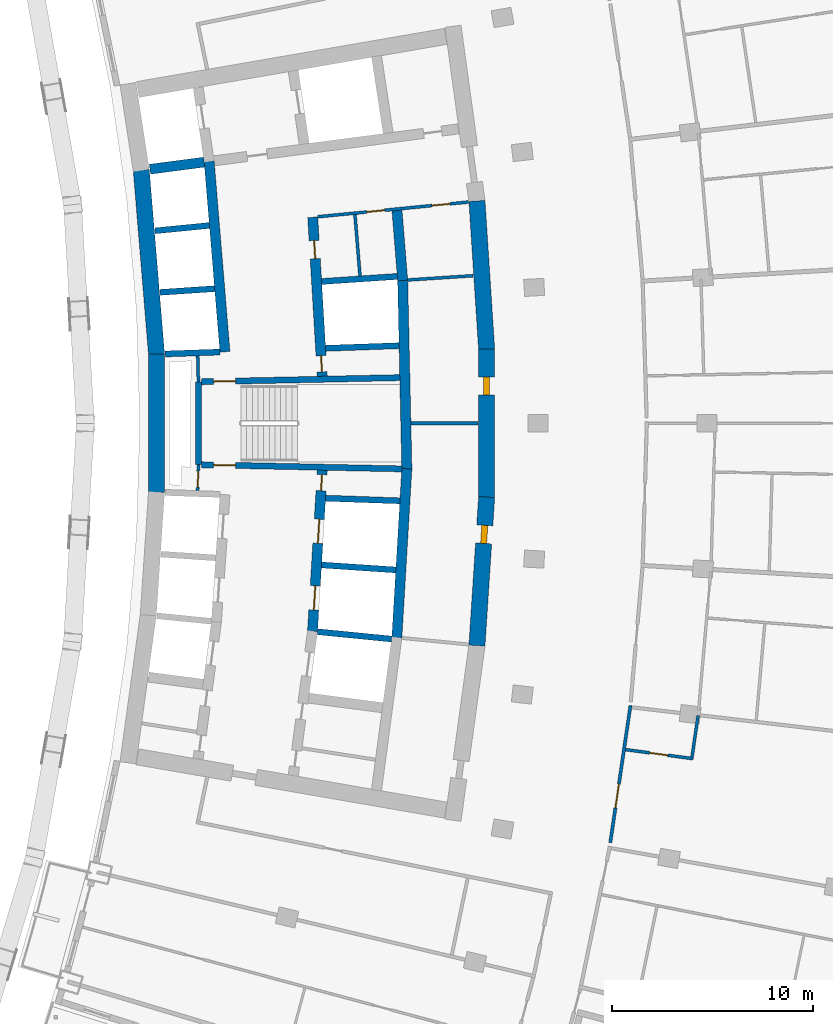
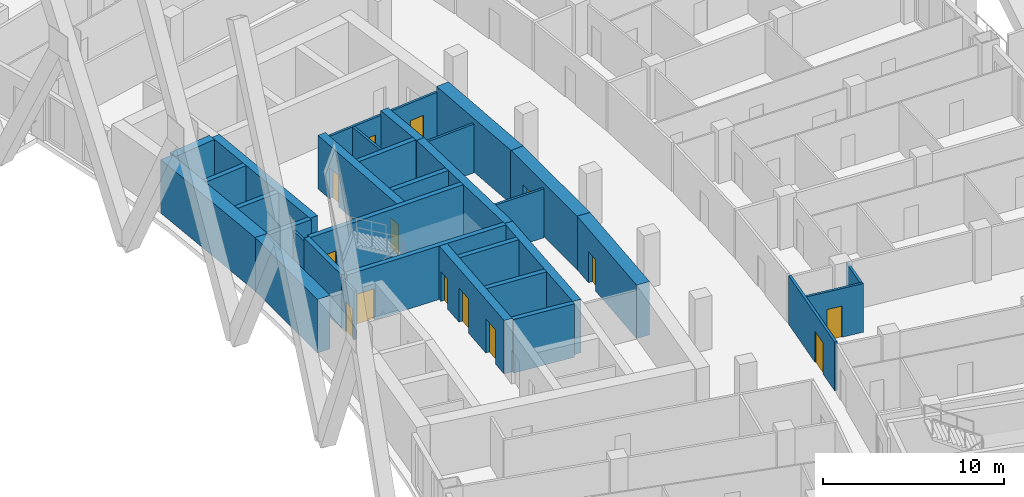
# One storey, part 14 of 24: 32 walls, 14 doors, 14 openings.
"""IFC4 building model written with IfcOpenShell, lengths in metres."""

from ifc_helpers import new_model, si_unit, direction, frame, frame_2d, origin, place, context, subcontext, project, spatial, rectangle, extrude, material, layer, layer_set, type_object, element, fill, save


model = new_model("IFC4")

# Units and contexts
model_context = context("Model", 3, precision=1e-05, world=origin(), true_north=direction((0.0, 1.0)))
body_context = subcontext(model_context, "Body", "Model", "MODEL_VIEW")
ifc_project = project(units=[si_unit("LENGTHUNIT", "METRE"), si_unit("AREAUNIT", "SQUARE_METRE"), si_unit("VOLUMEUNIT", "CUBIC_METRE"), si_unit("PLANEANGLEUNIT", "RADIAN"), si_unit("MASSUNIT", "GRAM", prefix="KILO")], contexts=[model_context])

# Site, building, storey
site_placement = place(None, origin())
site = spatial("IfcSite", under=ifc_project, at=site_placement, CompositionType="ELEMENT")
building_placement = place(site_placement, origin())
building = spatial("IfcBuilding", under=site, at=building_placement, Name="Alderwake Tower", CompositionType="ELEMENT")
storey_placement = place(building_placement, frame((0.0, 0.0, 104.0)))
storey = spatial("IfcBuildingStorey", under=building, at=storey_placement, Name="L25", CompositionType="ELEMENT", Elevation=104.0)

# Wall, opening, door
ifc_material_1 = material(Name="Gypsum shaft wall system, rated")
ifc_layer_1 = layer(ifc_material_1, 0.14990234375)
ifc_layer_set_1 = layer_set([ifc_layer_1], Name="Core room partition 150")
wall_type_1 = type_object("IfcWallType", Name="Core room partition 150", PredefinedType="PARTITIONING", material=ifc_layer_set_1)
wall_1_placement = place(storey_placement, frame((18.918701171875, 58.94384765625, 0.0), z_axis=(0.0, 0.0, 1.0), x_axis=(-0.027348257573, -0.999625966453, 0.0)))
wall_1 = element("IfcWall", 1, at=wall_1_placement, inside=storey, type_object=wall_type_1, Name="CW/L25/PA+24_-37", PredefinedType="PARTITIONING", context=body_context, shape_type="SweptSolid", body=[
    extrude(rectangle(XDim=1.29443359375, YDim=0.14990234375, at=frame_2d((0.647216796875, 0.0))), origin(), (0.0, 0.0, 1.0), 3.280029296875),
])
opening_1_placement = place(wall_1_placement, frame((0.322998046875, 0.0, 0.0)))
opening_1 = element("IfcOpeningElement", 2, at=opening_1_placement, cuts=wall_1, Name="Opening C004", PredefinedType="OPENING", context=body_context, shape_type="SweptSolid", body=[
    extrude(rectangle(XDim=0.800048828125, YDim=2.0, at=frame_2d((0.39990234375, 1.0))), frame((0.0, 0.0849609375, 0.0), z_axis=(0.0, -1.0, 0.0), x_axis=(1.0, 0.0, 0.0)), (0.0, 0.0, 1.0), 0.169921875),
])
ifc_material_2 = material(Name="Painted steel leaf, rated", Category="steel")
door_type_1 = type_object("IfcDoorType", Name="Riser access door 800", OperationType="SINGLE_SWING_LEFT", PredefinedType="DOOR", material=ifc_material_2)
door_1_placement = place(opening_1_placement, origin())
door_1 = element("IfcDoor", 3, at=door_1_placement, inside=storey, type_object=door_type_1, Name="Riser access door", OperationType="SINGLE_SWING_RIGHT", OverallHeight=2.0, OverallWidth=0.800048828125, PredefinedType="DOOR", context=body_context, shape_type="SweptSolid", body=[
    extrude(rectangle(XDim=0.800048828125, YDim=2.0, at=frame_2d((0.39990234375, 1.0))), frame((0.0, 0.02490234375, 0.0), z_axis=(0.0, -1.0, 0.0), x_axis=(1.0, 0.0, 0.0)), (0.0, 0.0, 1.0), 0.050048828125),
])
fill(opening_1, door_1)

# Walls
wall_2_placement = place(storey_placement, frame((18.918701171875, 63.05517578125, 0.0), z_axis=(0.0, 0.0, 1.0), x_axis=(-0.027327648352, 0.999626530078, 0.0)))
element("IfcWall", 4, at=wall_2_placement, inside=storey, type_object=wall_type_1, Name="CW/L25/PA+24_+22", PredefinedType="PARTITIONING", context=body_context, shape_type="SweptSolid", body=[
    extrude(rectangle(XDim=1.29541015625, YDim=0.14990234375, at=frame_2d((0.647705078125, 0.0))), origin(), (0.0, 0.0, 1.0), 3.280029296875),
])
wall_3_placement = place(storey_placement, frame((26.94970703125, 68.3203125, 0.0), z_axis=(0.0, 0.0, 1.0), x_axis=(-0.082463525817, 0.996594083321, 0.0)))
element("IfcWall", 5, at=wall_3_placement, inside=storey, type_object=wall_type_1, Name="CW/L25/PA+107_+70", PredefinedType="PARTITIONING", context=body_context, shape_type="SweptSolid", body=[
    extrude(rectangle(XDim=3.055419921875, YDim=0.14990234375, at=frame_2d((1.52783203125, 0.0))), origin(), (0.0, 0.0, 1.0), 3.280029296875),
])
wall_4_placement = place(storey_placement, frame((29.47607421875, 61.0, 0.0), z_axis=(0.0, 0.0, 1.0), x_axis=(1.0, 0.0, 0.0)))
element("IfcWall", 6, at=wall_4_placement, inside=storey, type_object=wall_type_1, Name="CW/L25/PR+0_+128", PredefinedType="PARTITIONING", context=body_context, shape_type="SweptSolid", body=[
    extrude(rectangle(XDim=3.333984375, YDim=0.14990234375, at=frame_2d((1.6669921875, 0.0))), origin(), (0.0, 0.0, 1.0), 3.280029296875),
])
wall_5_placement = place(storey_placement, frame((29.318603515625, 68.11865234375, 0.0), z_axis=(0.0, 0.0, 1.0), x_axis=(0.997885072108, 0.065002945035, 0.0)))
element("IfcWall", 7, at=wall_5_placement, inside=storey, type_object=wall_type_1, Name="CW/L25/PR+68_+128", PredefinedType="PARTITIONING", context=body_context, shape_type="SweptSolid", body=[
    extrude(rectangle(XDim=3.260009765625, YDim=0.14990234375, at=frame_2d((1.6298828125, 0.0))), origin(), (0.0, 0.0, 1.0), 3.280029296875),
])

# Wall, openings, doors
wall_6_placement = place(storey_placement, frame((32.333251953125, 71.991943359375, 0.0), z_axis=(0.0, 0.0, 1.0), x_axis=(-0.995248348328, -0.097369015353, 0.0)))
wall_6 = element("IfcWall", 8, at=wall_6_placement, inside=storey, type_object=wall_type_1, Name="CW/L25/PR+102_+86", PredefinedType="PARTITIONING", context=body_context, shape_type="SweptSolid", body=[
    extrude(rectangle(XDim=7.51953125, YDim=0.14990234375, at=frame_2d((3.759765625, 0.0))), origin(), (0.0, 0.0, 1.0), 3.280029296875),
])
opening_2_placement = place(wall_6_placement, frame((4.169921875, 0.0, 0.0)))
opening_2 = element("IfcOpeningElement", 9, at=opening_2_placement, cuts=wall_6, Name="Opening C022", PredefinedType="OPENING", context=body_context, shape_type="SweptSolid", body=[
    extrude(rectangle(XDim=0.89990234375, YDim=2.10009765625, at=frame_2d((0.449951171875, 1.050048828125))), frame((0.0, 0.0849609375, 0.0), z_axis=(0.0, -1.0, 0.0), x_axis=(1.0, 0.0, 0.0)), (0.0, 0.0, 1.0), 0.169921875),
])
opening_3_placement = place(wall_6_placement, frame((0.919921875, 0.0, 0.0)))
opening_3 = element("IfcOpeningElement", 10, at=opening_3_placement, cuts=wall_6, Name="Opening C036", PredefinedType="OPENING", context=body_context, shape_type="SweptSolid", body=[
    extrude(rectangle(XDim=0.89990234375, YDim=2.10009765625, at=frame_2d((0.449951171875, 1.050048828125))), frame((0.0, 0.0849609375, 0.0), z_axis=(0.0, -1.0, 0.0), x_axis=(1.0, 0.0, 0.0)), (0.0, 0.0, 1.0), 0.169921875),
])
ifc_material_3 = material(Name="Painted steel leaf", Category="steel")
door_type_2 = type_object("IfcDoorType", Name="Core room door 900", OperationType="SINGLE_SWING_LEFT", PredefinedType="DOOR", material=ifc_material_3)
door_2_placement = place(opening_2_placement, origin())
door_2 = element("IfcDoor", 11, at=door_2_placement, inside=storey, type_object=door_type_2, Name="Room door", OperationType="SINGLE_SWING_RIGHT", OverallHeight=2.10009765625, OverallWidth=0.89990234375, PredefinedType="DOOR", context=body_context, shape_type="SweptSolid", body=[
    extrude(rectangle(XDim=0.89990234375, YDim=2.10009765625, at=frame_2d((0.449951171875, 1.050048828125))), frame((0.0, 0.02490234375, 0.0), z_axis=(0.0, -1.0, 0.0), x_axis=(1.0, 0.0, 0.0)), (0.0, 0.0, 1.0), 0.050048828125),
])
fill(opening_2, door_2)
door_3_placement = place(opening_3_placement, origin())
door_3 = element("IfcDoor", 12, at=door_3_placement, inside=storey, type_object=door_type_2, Name="Room door", OperationType="SINGLE_SWING_RIGHT", OverallHeight=2.10009765625, OverallWidth=0.89990234375, PredefinedType="DOOR", context=body_context, shape_type="SweptSolid", body=[
    extrude(rectangle(XDim=0.89990234375, YDim=2.10009765625, at=frame_2d((0.449951171875, 1.050048828125))), frame((0.0, 0.02490234375, 0.0), z_axis=(0.0, -1.0, 0.0), x_axis=(1.0, 0.0, 0.0)), (0.0, 0.0, 1.0), 0.050048828125),
])
fill(opening_3, door_3)

# Walls
ifc_material_4 = material(Name="Concrete C70/85", Category="concrete")
ifc_layer_2 = layer(ifc_material_4, 0.800048828125)
ifc_layer_set_2 = layer_set([ifc_layer_2], Name="Core wall outer 800 C70-85")
wall_type_2 = type_object("IfcWallType", Name="Core wall outer 800 C70-85", PredefinedType="SHEAR", material=ifc_layer_set_2)
wall_7_placement = place(storey_placement, frame((16.83935546875, 57.558349609375, 0.0), z_axis=(0.0, 0.0, 1.0), x_axis=(0.0, 1.0, 0.0)))
element("IfcWall", 13, at=wall_7_placement, inside=storey, type_object=wall_type_2, Name="Core wall CW.043", PredefinedType="SHEAR", context=body_context, shape_type="SweptSolid", body=[
    extrude(rectangle(XDim=6.886474609375, YDim=0.800048828125, at=frame_2d((3.443359375, 0.0))), origin(), (0.0, 0.0, 1.0), 3.60009765625),
])
wall_8_placement = place(storey_placement, frame((16.8408203125, 64.410888671875, 0.0), z_axis=(0.0, 0.0, 1.0), x_axis=(-0.082619502339, 0.996581164699, 0.0)))
element("IfcWall", 14, at=wall_8_placement, inside=storey, type_object=wall_type_2, Name="Core wall CW.040", PredefinedType="SHEAR", context=body_context, shape_type="SweptSolid", body=[
    extrude(rectangle(XDim=9.201904296875, YDim=0.800048828125, at=frame_2d((4.60107421875, 0.0))), origin(), (0.0, 0.0, 1.0), 3.60009765625),
])

# Wall, opening, door
wall_9_placement = place(storey_placement, frame((33.240966796875, 57.330322265625, 0.0), z_axis=(0.0, 0.0, 1.0), x_axis=(-0.064976219143, -0.997886812693, 0.0)))
wall_9 = element("IfcWall", 15, at=wall_9_placement, inside=storey, type_object=wall_type_2, Name="Core wall CW.011", PredefinedType="SHEAR", context=body_context, shape_type="SweptSolid", body=[
    extrude(rectangle(XDim=7.39453125, YDim=0.800048828125, at=frame_2d((3.697265625, 0.0))), origin(), (0.0, 0.0, 1.0), 3.60009765625),
])
opening_4_placement = place(wall_9_placement, frame((1.40478515625, 0.0, 0.0)))
opening_4 = element("IfcOpeningElement", 16, at=opening_4_placement, cuts=wall_9, Name="Opening C025", PredefinedType="OPENING", context=body_context, shape_type="SweptSolid", body=[
    extrude(rectangle(XDim=0.89990234375, YDim=2.10009765625, at=frame_2d((0.449951171875, 1.050048828125))), frame((0.0, 0.409912109375, 0.0), z_axis=(0.0, -1.0, 0.0), x_axis=(1.0, 0.0, 0.0)), (0.0, 0.0, 1.0), 0.820068359375),
])
door_4_placement = place(opening_4_placement, origin())
door_4 = element("IfcDoor", 17, at=door_4_placement, inside=storey, type_object=door_type_2, Name="Room door", OperationType="SINGLE_SWING_RIGHT", OverallHeight=2.10009765625, OverallWidth=0.89990234375, PredefinedType="DOOR", context=body_context, shape_type="SweptSolid", body=[
    extrude(rectangle(XDim=0.89990234375, YDim=2.10009765625, at=frame_2d((0.449951171875, 1.050048828125))), frame((0.0, 0.14990234375, 0.0), z_axis=(0.0, -1.0, 0.0), x_axis=(1.0, 0.0, 0.0)), (0.0, 0.0, 1.0), 0.300048828125),
])
fill(opening_4, door_4)

wall_10_placement = place(storey_placement, frame((33.239990234375, 64.69677734375, 0.0), z_axis=(0.0, 0.0, 1.0), x_axis=(0.0, -1.0, 0.0)))
wall_10 = element("IfcWall", 18, at=wall_10_placement, inside=storey, type_object=wall_type_2, Name="Core wall CW.013", PredefinedType="SHEAR", context=body_context, shape_type="SweptSolid", body=[
    extrude(rectangle(XDim=7.3935546875, YDim=0.800048828125, at=frame_2d((3.69677734375, 0.0))), origin(), (0.0, 0.0, 1.0), 3.60009765625),
])
opening_5_placement = place(wall_10_placement, frame((1.40478515625, 0.0, 0.0)))
opening_5 = element("IfcOpeningElement", 19, at=opening_5_placement, cuts=wall_10, Name="Opening C033", PredefinedType="OPENING", context=body_context, shape_type="SweptSolid", body=[
    extrude(rectangle(XDim=0.89990234375, YDim=2.10009765625, at=frame_2d((0.449951171875, 1.050048828125))), frame((0.0, 0.409912109375, 0.0), z_axis=(0.0, -1.0, 0.0), x_axis=(1.0, 0.0, 0.0)), (0.0, 0.0, 1.0), 0.820068359375),
])
door_5_placement = place(opening_5_placement, origin())
door_5 = element("IfcDoor", 20, at=door_5_placement, inside=storey, type_object=door_type_2, Name="Room door", OperationType="SINGLE_SWING_LEFT", OverallHeight=2.10009765625, OverallWidth=0.89990234375, PredefinedType="DOOR", context=body_context, shape_type="SweptSolid", body=[
    extrude(rectangle(XDim=0.89990234375, YDim=2.10009765625, at=frame_2d((0.449951171875, 1.050048828125))), frame((0.0, 0.14990234375, 0.0), z_axis=(0.0, -1.0, 0.0), x_axis=(1.0, 0.0, 0.0)), (0.0, 0.0, 1.0), 0.300048828125),
])
fill(opening_5, door_5)

# Walls
wall_11_placement = place(storey_placement, frame((33.240966796875, 64.669677734375, 0.0), z_axis=(0.0, 0.0, 1.0), x_axis=(-0.064976219143, 0.997886812693, 0.0)))
element("IfcWall", 21, at=wall_11_placement, inside=storey, type_object=wall_type_2, Name="Core wall CW.010", PredefinedType="SHEAR", context=body_context, shape_type="SweptSolid", body=[
    extrude(rectangle(XDim=7.39453125, YDim=0.800048828125, at=frame_2d((3.697265625, 0.0))), origin(), (0.0, 0.0, 1.0), 3.60009765625),
])
ifc_material_5 = material(Name="Concrete C70/85", Category="concrete")
ifc_layer_3 = layer(ifc_material_5, 0.300048828125)
ifc_layer_set_3 = layer_set([ifc_layer_3], Name="Core wall shaft 300 C70-85")
wall_type_3 = type_object("IfcWallType", Name="Core wall shaft 300 C70-85", PredefinedType="SHEAR", material=ifc_layer_set_3)
wall_12_placement = place(storey_placement, frame((24.839599609375, 50.64013671875, 0.0), z_axis=(0.0, 0.0, 1.0), x_axis=(0.995150987401, -0.098359098589, 0.0)))
element("IfcWall", 22, at=wall_12_placement, inside=storey, type_object=wall_type_3, Name="Core wall CW.066", PredefinedType="SHEAR", context=body_context, shape_type="SweptSolid", body=[
    extrude(rectangle(XDim=3.69580078125, YDim=0.300048828125, at=frame_2d((1.847900390625, 0.0))), origin(), (0.0, 0.0, 1.0), 3.60009765625),
])
wall_13_placement = place(storey_placement, frame((25.0400390625, 53.9580078125, 0.0), z_axis=(0.0, 0.0, 1.0), x_axis=(0.997759957359, -0.066895945251, 0.0)))
element("IfcWall", 23, at=wall_13_placement, inside=storey, type_object=wall_type_3, Name="Core wall CW.080", PredefinedType="SHEAR", context=body_context, shape_type="SweptSolid", body=[
    extrude(rectangle(XDim=3.697021484375, YDim=0.300048828125, at=frame_2d((1.8486328125, 0.0))), origin(), (0.0, 0.0, 1.0), 3.60009765625),
])
wall_14_placement = place(storey_placement, frame((25.240478515625, 57.27490234375, 0.0), z_axis=(0.0, 0.0, 1.0), x_axis=(0.999372332678, -0.035425141877, 0.0)))
element("IfcWall", 24, at=wall_14_placement, inside=storey, type_object=wall_type_3, Name="Core wall CW.077", PredefinedType="SHEAR", context=body_context, shape_type="SweptSolid", body=[
    extrude(rectangle(XDim=3.69384765625, YDim=0.300048828125, at=frame_2d((1.846923828125, 0.0))), origin(), (0.0, 0.0, 1.0), 3.60009765625),
])
wall_15_placement = place(storey_placement, frame((17.269287109375, 64.443115234375, 0.0), z_axis=(0.0, 0.0, 1.0), x_axis=(0.999374239339, 0.03537131246, 0.0)))
element("IfcWall", 25, at=wall_15_placement, inside=storey, type_object=wall_type_3, Name="Core wall CW.059", PredefinedType="SHEAR", context=body_context, shape_type="SweptSolid", body=[
    extrude(rectangle(XDim=2.719482421875, YDim=0.300048828125, at=frame_2d((1.35986328125, 0.0))), origin(), (0.0, 0.0, 1.0), 3.60009765625),
])
wall_16_placement = place(storey_placement, frame((25.2412109375, 64.725341796875, 0.0), z_axis=(0.0, 0.0, 1.0), x_axis=(0.999374468163, 0.035364846723, 0.0)))
element("IfcWall", 26, at=wall_16_placement, inside=storey, type_object=wall_type_3, Name="Core wall CW.060", PredefinedType="SHEAR", context=body_context, shape_type="SweptSolid", body=[
    extrude(rectangle(XDim=3.65185546875, YDim=0.300048828125, at=frame_2d((1.825927734375, 0.0))), origin(), (0.0, 0.0, 1.0), 3.60009765625),
])
wall_17_placement = place(storey_placement, frame((17.015869140625, 67.50390625, 0.0), z_axis=(0.0, 0.0, 1.0), x_axis=(0.997756033475, 0.066954444689, 0.0)))
element("IfcWall", 27, at=wall_17_placement, inside=storey, type_object=wall_type_3, Name="Core wall CW.062", PredefinedType="SHEAR", context=body_context, shape_type="SweptSolid", body=[
    extrude(rectangle(XDim=2.716552734375, YDim=0.300048828125, at=frame_2d((1.3583984375, 0.0))), origin(), (0.0, 0.0, 1.0), 3.60009765625),
])
wall_18_placement = place(storey_placement, frame((25.042236328125, 68.0419921875, 0.0), z_axis=(0.0, 0.0, 1.0), x_axis=(0.997758420026, 0.066918870789, 0.0)))
element("IfcWall", 28, at=wall_18_placement, inside=storey, type_object=wall_type_3, Name="Core wall CW.063", PredefinedType="SHEAR", context=body_context, shape_type="SweptSolid", body=[
    extrude(rectangle(XDim=3.768798828125, YDim=0.300048828125, at=frame_2d((1.88427734375, 0.0))), origin(), (0.0, 0.0, 1.0), 3.60009765625),
])
wall_19_placement = place(storey_placement, frame((16.76220703125, 70.561767578125, 0.0), z_axis=(0.0, 0.0, 1.0), x_axis=(0.995154832978, 0.098320183083, 0.0)))
element("IfcWall", 29, at=wall_19_placement, inside=storey, type_object=wall_type_3, Name="Core wall CW.050", PredefinedType="SHEAR", context=body_context, shape_type="SweptSolid", body=[
    extrude(rectangle(XDim=2.716552734375, YDim=0.300048828125, at=frame_2d((1.3583984375, 0.0))), origin(), (0.0, 0.0, 1.0), 3.60009765625),
])
ifc_material_6 = material(Name="Concrete C70/85", Category="concrete")
ifc_layer_4 = layer(ifc_material_6, 0.5)
ifc_layer_set_4 = layer_set([ifc_layer_4], Name="Core wall spine 500 C70-85")
wall_type_4 = type_object("IfcWallType", Name="Core wall spine 500 C70-85", PredefinedType="SHEAR", material=ifc_layer_set_4)
wall_20_placement = place(storey_placement, frame((20.2373046875, 64.548095703125, 0.0), z_axis=(0.0, 0.0, 1.0), x_axis=(-0.082641410547, 0.996579348202, 0.0)))
element("IfcWall", 30, at=wall_20_placement, inside=storey, type_object=wall_type_4, Name="Core wall CW.031", PredefinedType="SHEAR", context=body_context, shape_type="SweptSolid", body=[
    extrude(rectangle(XDim=9.500732421875, YDim=0.5, at=frame_2d((4.75048828125, 0.0))), origin(), (0.0, 0.0, 1.0), 3.60009765625),
])

# Wall, openings, doors
wall_21_placement = place(storey_placement, frame((24.590087890625, 50.655029296875, 0.0), z_axis=(0.0, 0.0, 1.0), x_axis=(0.060305817737, 0.998179947879, 0.0)))
wall_21 = element("IfcWall", 31, at=wall_21_placement, inside=storey, type_object=wall_type_4, Name="Core wall CW.046", PredefinedType="SHEAR", context=body_context, shape_type="SweptSolid", body=[
    extrude(rectangle(XDim=8.02392578125, YDim=0.5, at=frame_2d((4.011962890625, 0.0))), origin(), (0.0, 0.0, 1.0), 3.60009765625),
])
opening_6_placement = place(wall_21_placement, frame((1.067138671875, 0.0, 0.0)))
opening_6 = element("IfcOpeningElement", 32, at=opening_6_placement, cuts=wall_21, Name="Opening LD-LP5", PredefinedType="OPENING", context=body_context, shape_type="SweptSolid", body=[
    extrude(rectangle(XDim=1.199951171875, YDim=2.300048828125, at=frame_2d((0.60009765625, 1.14990234375))), frame((0.0, 0.260009765625, 0.0), z_axis=(0.0, -1.0, 0.0), x_axis=(1.0, 0.0, 0.0)), (0.0, 0.0, 1.0), 0.52001953125),
])
opening_7_placement = place(wall_21_placement, frame((4.383544921875, 0.0, 0.0)))
opening_7 = element("IfcOpeningElement", 33, at=opening_7_placement, cuts=wall_21, Name="Opening LD-LP6", PredefinedType="OPENING", context=body_context, shape_type="SweptSolid", body=[
    extrude(rectangle(XDim=1.199951171875, YDim=2.300048828125, at=frame_2d((0.60009765625, 1.14990234375))), frame((0.0, 0.260009765625, 0.0), z_axis=(0.0, -1.0, 0.0), x_axis=(1.0, 0.0, 0.0)), (0.0, 0.0, 1.0), 0.52001953125),
])
opening_8_placement = place(wall_21_placement, frame((7.0078125, 0.0, 0.0)))
opening_8 = element("IfcOpeningElement", 34, at=opening_8_placement, cuts=wall_21, Name="Opening C006", PredefinedType="OPENING", context=body_context, shape_type="SweptSolid", body=[
    extrude(rectangle(XDim=0.800048828125, YDim=2.0, at=frame_2d((0.39990234375, 1.0))), frame((0.0, 0.260009765625, 0.0), z_axis=(0.0, -1.0, 0.0), x_axis=(1.0, 0.0, 0.0)), (0.0, 0.0, 1.0), 0.52001953125),
])
ifc_material_7 = material(Name="Stainless steel sliding leaf", Category="steel")
door_type_3 = type_object("IfcDoorType", Name="Lift landing door 1200", OperationType="SLIDING_TO_LEFT", PredefinedType="DOOR", material=ifc_material_7)
door_6_placement = place(opening_6_placement, origin())
door_6 = element("IfcDoor", 35, at=door_6_placement, inside=storey, type_object=door_type_3, Name="Lift landing door LP5", OperationType="SLIDING_TO_LEFT", OverallHeight=2.300048828125, OverallWidth=1.199951171875, PredefinedType="DOOR", context=body_context, shape_type="SweptSolid", body=[
    extrude(rectangle(XDim=1.199951171875, YDim=2.300048828125, at=frame_2d((0.60009765625, 1.14990234375))), frame((0.0, 0.02490234375, 0.0), z_axis=(0.0, -1.0, 0.0), x_axis=(1.0, 0.0, 0.0)), (0.0, 0.0, 1.0), 0.050048828125),
])
fill(opening_6, door_6)
door_7_placement = place(opening_7_placement, origin())
door_7 = element("IfcDoor", 36, at=door_7_placement, inside=storey, type_object=door_type_3, Name="Lift landing door LP6", OperationType="SLIDING_TO_LEFT", OverallHeight=2.300048828125, OverallWidth=1.199951171875, PredefinedType="DOOR", context=body_context, shape_type="SweptSolid", body=[
    extrude(rectangle(XDim=1.199951171875, YDim=2.300048828125, at=frame_2d((0.60009765625, 1.14990234375))), frame((0.0, 0.02490234375, 0.0), z_axis=(0.0, -1.0, 0.0), x_axis=(1.0, 0.0, 0.0)), (0.0, 0.0, 1.0), 0.050048828125),
])
fill(opening_7, door_7)
door_8_placement = place(opening_8_placement, origin())
door_8 = element("IfcDoor", 37, at=door_8_placement, inside=storey, type_object=door_type_1, Name="Riser access door", OperationType="SINGLE_SWING_RIGHT", OverallHeight=2.0, OverallWidth=0.800048828125, PredefinedType="DOOR", context=body_context, shape_type="SweptSolid", body=[
    extrude(rectangle(XDim=0.800048828125, YDim=2.0, at=frame_2d((0.39990234375, 1.0))), frame((0.0, 0.02490234375, 0.0), z_axis=(0.0, -1.0, 0.0), x_axis=(1.0, 0.0, 0.0)), (0.0, 0.0, 1.0), 0.050048828125),
])
fill(opening_8, door_8)

wall_22_placement = place(storey_placement, frame((25.073974609375, 63.335693359375, 0.0), z_axis=(0.0, 0.0, 1.0), x_axis=(-0.059848641072, 0.998207463487, 0.0)))
wall_22 = element("IfcWall", 38, at=wall_22_placement, inside=storey, type_object=wall_type_4, Name="Core wall CW.045", PredefinedType="SHEAR", context=body_context, shape_type="SweptSolid", body=[
    extrude(rectangle(XDim=7.913818359375, YDim=0.5, at=frame_2d((3.95703125, 0.0))), origin(), (0.0, 0.0, 1.0), 3.60009765625),
])
opening_9_placement = place(wall_22_placement, frame((0.216064453125, 0.0, 0.0)))
opening_9 = element("IfcOpeningElement", 39, at=opening_9_placement, cuts=wall_22, Name="Opening C005", PredefinedType="OPENING", context=body_context, shape_type="SweptSolid", body=[
    extrude(rectangle(XDim=0.800048828125, YDim=2.0, at=frame_2d((0.39990234375, 1.0))), frame((0.0, 0.260009765625, 0.0), z_axis=(0.0, -1.0, 0.0), x_axis=(1.0, 0.0, 0.0)), (0.0, 0.0, 1.0), 0.52001953125),
])
opening_10_placement = place(wall_22_placement, frame((5.856201171875, 0.0, 0.0)))
opening_10 = element("IfcOpeningElement", 40, at=opening_10_placement, cuts=wall_22, Name="Opening C024", PredefinedType="OPENING", context=body_context, shape_type="SweptSolid", body=[
    extrude(rectangle(XDim=0.89990234375, YDim=2.10009765625, at=frame_2d((0.449951171875, 1.050048828125))), frame((0.0, 0.260009765625, 0.0), z_axis=(0.0, -1.0, 0.0), x_axis=(1.0, 0.0, 0.0)), (0.0, 0.0, 1.0), 0.52001953125),
])
door_9_placement = place(opening_10_placement, origin())
door_9 = element("IfcDoor", 41, at=door_9_placement, inside=storey, type_object=door_type_2, Name="Room door", OperationType="SINGLE_SWING_LEFT", OverallHeight=2.10009765625, OverallWidth=0.89990234375, PredefinedType="DOOR", context=body_context, shape_type="SweptSolid", body=[
    extrude(rectangle(XDim=0.89990234375, YDim=2.10009765625, at=frame_2d((0.449951171875, 1.050048828125))), frame((0.0, 0.02490234375, 0.0), z_axis=(0.0, -1.0, 0.0), x_axis=(1.0, 0.0, 0.0)), (0.0, 0.0, 1.0), 0.050048828125),
])
fill(opening_10, door_9)
door_10_placement = place(opening_9_placement, origin())
door_10 = element("IfcDoor", 42, at=door_10_placement, inside=storey, type_object=door_type_1, Name="Riser access door", OperationType="SINGLE_SWING_LEFT", OverallHeight=2.0, OverallWidth=0.800048828125, PredefinedType="DOOR", context=body_context, shape_type="SweptSolid", body=[
    extrude(rectangle(XDim=0.800048828125, YDim=2.0, at=frame_2d((0.39990234375, 1.0))), frame((0.0, 0.02490234375, 0.0), z_axis=(0.0, -1.0, 0.0), x_axis=(1.0, 0.0, 0.0)), (0.0, 0.0, 1.0), 0.050048828125),
])
fill(opening_9, door_10)

# Walls
wall_23_placement = place(storey_placement, frame((28.77978515625, 50.345947265625, 0.0), z_axis=(0.0, 0.0, 1.0), x_axis=(0.059159556477, 0.998248539632, 0.0)))
element("IfcWall", 43, at=wall_23_placement, inside=storey, type_object=wall_type_4, Name="Core wall CW.004", PredefinedType="SHEAR", context=body_context, shape_type="SweptSolid", body=[
    extrude(rectangle(XDim=8.40625, YDim=0.5, at=frame_2d((4.203125, 0.0))), origin(), (0.0, 0.0, 1.0), 3.60009765625),
])
wall_24_placement = place(storey_placement, frame((29.276611328125, 58.71630859375, 0.0), z_axis=(0.0, 0.0, 1.0), x_axis=(-0.022111127054, 0.999755519145, 0.0)))
element("IfcWall", 44, at=wall_24_placement, inside=storey, type_object=wall_type_4, Name="Core wall CW.007", PredefinedType="SHEAR", context=body_context, shape_type="SweptSolid", body=[
    extrude(rectangle(XDim=9.396240234375, YDim=0.5, at=frame_2d((4.6982421875, 0.0))), origin(), (0.0, 0.0, 1.0), 3.60009765625),
])
wall_25_placement = place(storey_placement, frame((29.069580078125, 68.094482421875, 0.0), z_axis=(0.0, 0.0, 1.0), x_axis=(-0.080877914698, 0.99672401542, 0.0)))
element("IfcWall", 45, at=wall_25_placement, inside=storey, type_object=wall_type_4, Name="Core wall CW.003", PredefinedType="SHEAR", context=body_context, shape_type="SweptSolid", body=[
    extrude(rectangle(XDim=3.486572265625, YDim=0.5, at=frame_2d((1.7431640625, 0.0))), origin(), (0.0, 0.0, 1.0), 3.60009765625),
])
wall_26_placement = place(storey_placement, frame((16.508544921875, 73.62255859375, 0.0), z_axis=(0.0, 0.0, 1.0), x_axis=(0.991548766325, 0.129734513522, 0.0)))
element("IfcWall", 46, at=wall_26_placement, inside=storey, type_object=wall_type_4, Name="Core wall CW.051", PredefinedType="SHEAR", context=body_context, shape_type="SweptSolid", body=[
    extrude(rectangle(XDim=2.71923828125, YDim=0.5, at=frame_2d((1.359619140625, 0.0))), origin(), (0.0, 0.0, 1.0), 3.60009765625),
])
ifc_material_8 = material(Name="Concrete C70/85", Category="concrete")
ifc_layer_5 = layer(ifc_material_8, 0.300048828125)
ifc_layer_set_5 = layer_set([ifc_layer_5], Name="Core wall stair enclosure 300 C70-85")
wall_type_5 = type_object("IfcWallType", Name="Core wall stair enclosure 300 C70-85", PredefinedType="SHEAR", material=ifc_layer_set_5)
wall_27_placement = place(storey_placement, frame((18.918701171875, 58.94091796875, 0.0), z_axis=(0.0, 0.0, 1.0), x_axis=(0.0, 1.0, 0.0)))
element("IfcWall", 47, at=wall_27_placement, inside=storey, type_object=wall_type_5, Name="Core wall CW.024", PredefinedType="SHEAR", context=body_context, shape_type="SweptSolid", body=[
    extrude(rectangle(XDim=4.119384765625, YDim=0.300048828125, at=frame_2d((2.0595703125, 0.0))), origin(), (0.0, 0.0, 1.0), 3.60009765625),
])

# Wall, opening, door
wall_28_placement = place(storey_placement, frame((29.026123046875, 58.73193359375, 0.0), z_axis=(0.0, 0.0, 1.0), x_axis=(-0.999783418156, 0.020811457903, 0.0)))
wall_28 = element("IfcWall", 48, at=wall_28_placement, inside=storey, type_object=wall_type_5, Name="Core wall CW.074", PredefinedType="SHEAR", context=body_context, shape_type="SweptSolid", body=[
    extrude(rectangle(XDim=9.959716796875, YDim=0.300048828125, at=frame_2d((4.97998046875, 0.0))), origin(), (0.0, 0.0, 1.0), 3.60009765625),
])
opening_11_placement = place(wall_28_placement, frame((8.259765625, 0.0, 0.0)))
opening_11 = element("IfcOpeningElement", 49, at=opening_11_placement, cuts=wall_28, Name="Opening C063", PredefinedType="OPENING", context=body_context, shape_type="SweptSolid", body=[
    extrude(rectangle(XDim=1.10009765625, YDim=2.10009765625, at=frame_2d((0.550048828125, 1.050048828125))), frame((0.0, 0.159912109375, 0.0), z_axis=(0.0, -1.0, 0.0), x_axis=(1.0, 0.0, 0.0)), (0.0, 0.0, 1.0), 0.320068359375),
])
ifc_material_9 = material(Name="Steel-framed fire door leaf", Category="steel")
door_type_4 = type_object("IfcDoorType", Name="Core stair door 1100 fire-rated", OperationType="SINGLE_SWING_LEFT", PredefinedType="DOOR", material=ifc_material_9)
door_11_placement = place(opening_11_placement, origin())
door_11 = element("IfcDoor", 50, at=door_11_placement, inside=storey, type_object=door_type_4, Name="Stair door", OperationType="SINGLE_SWING_LEFT", OverallHeight=2.10009765625, OverallWidth=1.10009765625, PredefinedType="DOOR", context=body_context, shape_type="SweptSolid", body=[
    extrude(rectangle(XDim=1.10009765625, YDim=2.10009765625, at=frame_2d((0.550048828125, 1.050048828125))), frame((0.0, 0.02490234375, 0.0), z_axis=(0.0, -1.0, 0.0), x_axis=(1.0, 0.0, 0.0)), (0.0, 0.0, 1.0), 0.050048828125),
])
fill(opening_11, door_11)

wall_29_placement = place(storey_placement, frame((19.068603515625, 63.060791015625, 0.0), z_axis=(0.0, 0.0, 1.0), x_axis=(0.999783647187, 0.02080045235, 0.0)))
wall_29 = element("IfcWall", 51, at=wall_29_placement, inside=storey, type_object=wall_type_5, Name="Core wall CW.057", PredefinedType="SHEAR", context=body_context, shape_type="SweptSolid", body=[
    extrude(rectangle(XDim=9.859375, YDim=0.300048828125, at=frame_2d((4.9296875, 0.0))), origin(), (0.0, 0.0, 1.0), 3.60009765625),
])
opening_12_placement = place(wall_29_placement, frame((0.60009765625, 0.0, 0.0)))
opening_12 = element("IfcOpeningElement", 52, at=opening_12_placement, cuts=wall_29, Name="Opening C064", PredefinedType="OPENING", context=body_context, shape_type="SweptSolid", body=[
    extrude(rectangle(XDim=1.10009765625, YDim=2.10009765625, at=frame_2d((0.550048828125, 1.050048828125))), frame((0.0, 0.159912109375, 0.0), z_axis=(0.0, -1.0, 0.0), x_axis=(1.0, 0.0, 0.0)), (0.0, 0.0, 1.0), 0.320068359375),
])
door_12_placement = place(opening_12_placement, origin())
door_12 = element("IfcDoor", 53, at=door_12_placement, inside=storey, type_object=door_type_4, Name="Stair door", OperationType="SINGLE_SWING_RIGHT", OverallHeight=2.10009765625, OverallWidth=1.10009765625, PredefinedType="DOOR", context=body_context, shape_type="SweptSolid", body=[
    extrude(rectangle(XDim=1.10009765625, YDim=2.10009765625, at=frame_2d((0.550048828125, 1.050048828125))), frame((0.0, 0.02490234375, 0.0), z_axis=(0.0, -1.0, 0.0), x_axis=(1.0, 0.0, 0.0)), (0.0, 0.0, 1.0), 0.050048828125),
])
fill(opening_12, door_12)

ifc_material_10 = material(Name="Gypsum board on metal studs, rated")
ifc_layer_6 = layer(ifc_material_10, 0.159912109375)
ifc_layer_set_6 = layer_set([ifc_layer_6], Name="Corridor wall 160")
wall_type_6 = type_object("IfcWallType", Name="Corridor wall 160", PredefinedType="PARTITIONING", material=ifc_layer_set_6)
wall_30_placement = place(storey_placement, frame((40.388671875, 46.97216796875, 0.0), z_axis=(0.0, 0.0, 1.0), x_axis=(-0.145535848078, -0.989352978933, 0.0)))
wall_30 = element("IfcWall", 54, at=wall_30_placement, inside=storey, type_object=wall_type_6, Name="WL/L25/W35", PredefinedType="PARTITIONING", context=body_context, shape_type="SweptSolid", body=[
    extrude(rectangle(XDim=6.884521484375, YDim=0.159912109375, at=frame_2d((3.4423828125, 0.0))), origin(), (0.0, 0.0, 1.0), 3.280029296875),
])
opening_13_placement = place(wall_30_placement, frame((3.943115234375, 0.0, 0.0)))
opening_13 = element("IfcOpeningElement", 55, at=opening_13_placement, cuts=wall_30, Name="Opening R07-AM1.1", PredefinedType="OPENING", context=body_context, shape_type="SweptSolid", body=[
    extrude(rectangle(XDim=1.199951171875, YDim=2.10009765625, at=frame_2d((0.60009765625, 1.050048828125))), frame((0.0, 0.08984375, 0.0), z_axis=(0.0, -1.0, 0.0), x_axis=(1.0, 0.0, 0.0)), (0.0, 0.0, 1.0), 0.179931640625),
])
ifc_material_11 = material(Name="Steel-framed fire door leaf", Category="steel")
door_type_5 = type_object("IfcDoorType", Name="Lobby door 1200 fire-rated", OperationType="SINGLE_SWING_LEFT", PredefinedType="DOOR", material=ifc_material_11)
door_13_placement = place(opening_13_placement, origin())
door_13 = element("IfcDoor", 56, at=door_13_placement, inside=storey, type_object=door_type_5, Name="DR/L25/AM1.1", OperationType="SINGLE_SWING_LEFT", OverallHeight=2.10009765625, OverallWidth=1.199951171875, PredefinedType="DOOR", context=body_context, shape_type="SweptSolid", body=[
    extrude(rectangle(XDim=1.199951171875, YDim=2.10009765625, at=frame_2d((0.60009765625, 1.050048828125))), frame((0.0, 0.02490234375, 0.0), z_axis=(0.0, -1.0, 0.0), x_axis=(1.0, 0.0, 0.0)), (0.0, 0.0, 1.0), 0.050048828125),
])
fill(opening_13, door_13)

ifc_material_12 = material(Name="Gypsum shaft wall system, rated")
ifc_layer_7 = layer(ifc_material_12, 0.14990234375)
ifc_layer_set_7 = layer_set([ifc_layer_7], Name="Riser and shaft wall 150")
wall_type_7 = type_object("IfcWallType", Name="Riser and shaft wall 150", PredefinedType="PARTITIONING", material=ifc_layer_set_7)
wall_31_placement = place(storey_placement, frame((40.147216796875, 44.7822265625, 0.0), z_axis=(0.0, 0.0, 1.0), x_axis=(0.991087891329, -0.133209577962, 0.0)))
wall_31 = element("IfcWall", 57, at=wall_31_placement, inside=storey, type_object=wall_type_7, Name="WL/L25/W14", PredefinedType="PARTITIONING", context=body_context, shape_type="SweptSolid", body=[
    extrude(rectangle(XDim=3.394287109375, YDim=0.14990234375, at=frame_2d((1.697265625, 0.0))), origin(), (0.0, 0.0, 1.0), 3.280029296875),
])
opening_14_placement = place(wall_31_placement, frame((1.209228515625, 0.0, 0.0)))
opening_14 = element("IfcOpeningElement", 58, at=opening_14_placement, cuts=wall_31, Name="Opening R07-AM1.2", PredefinedType="OPENING", context=body_context, shape_type="SweptSolid", body=[
    extrude(rectangle(XDim=0.89990234375, YDim=2.10009765625, at=frame_2d((0.449951171875, 1.050048828125))), frame((0.0, 0.0849609375, 0.0), z_axis=(0.0, -1.0, 0.0), x_axis=(1.0, 0.0, 0.0)), (0.0, 0.0, 1.0), 0.169921875),
])
ifc_material_13 = material(Name="Painted timber leaf", Category="wood")
door_type_6 = type_object("IfcDoorType", Name="Room door 900", OperationType="SINGLE_SWING_LEFT", PredefinedType="DOOR", material=ifc_material_13)
door_14_placement = place(opening_14_placement, origin())
door_14 = element("IfcDoor", 59, at=door_14_placement, inside=storey, type_object=door_type_6, Name="DR/L25/AM1.2", OperationType="SINGLE_SWING_LEFT", OverallHeight=2.10009765625, OverallWidth=0.89990234375, PredefinedType="DOOR", context=body_context, shape_type="SweptSolid", body=[
    extrude(rectangle(XDim=0.89990234375, YDim=2.10009765625, at=frame_2d((0.449951171875, 1.050048828125))), frame((0.0, 0.02490234375, 0.0), z_axis=(0.0, -1.0, 0.0), x_axis=(1.0, 0.0, 0.0)), (0.0, 0.0, 1.0), 0.050048828125),
])
fill(opening_14, door_14)

# Wall
wall_32_placement = place(storey_placement, frame((43.44775390625, 44.414306640625, 0.0), z_axis=(0.0, 0.0, 1.0), x_axis=(0.144502772087, 0.989504395573, 0.0)))
element("IfcWall", 60, at=wall_32_placement, inside=storey, type_object=wall_type_7, Name="WL/L25/W15", PredefinedType="PARTITIONING", context=body_context, shape_type="SweptSolid", body=[
    extrude(rectangle(XDim=2.0849609375, YDim=0.14990234375, at=frame_2d((1.04248046875, 0.0))), origin(), (0.0, 0.0, 1.0), 3.280029296875),
])

save(model, "model.ifc")
